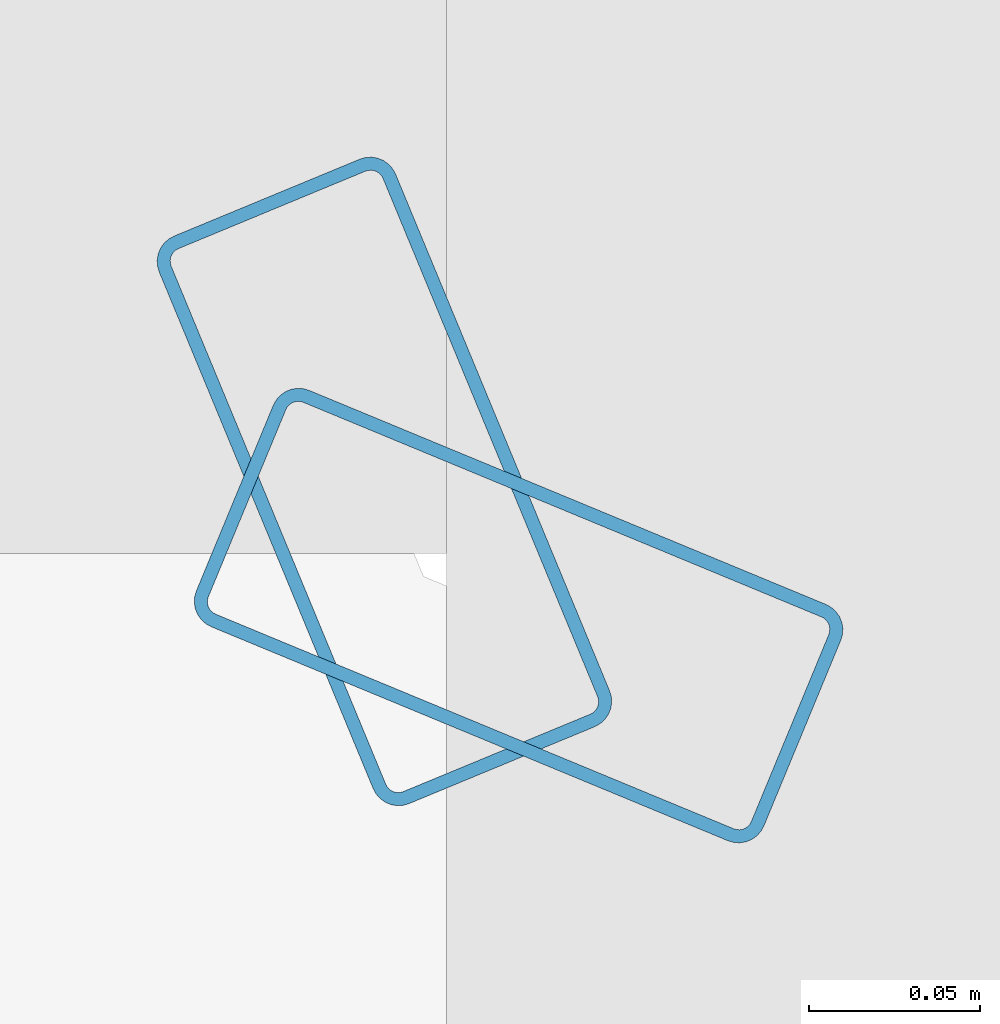
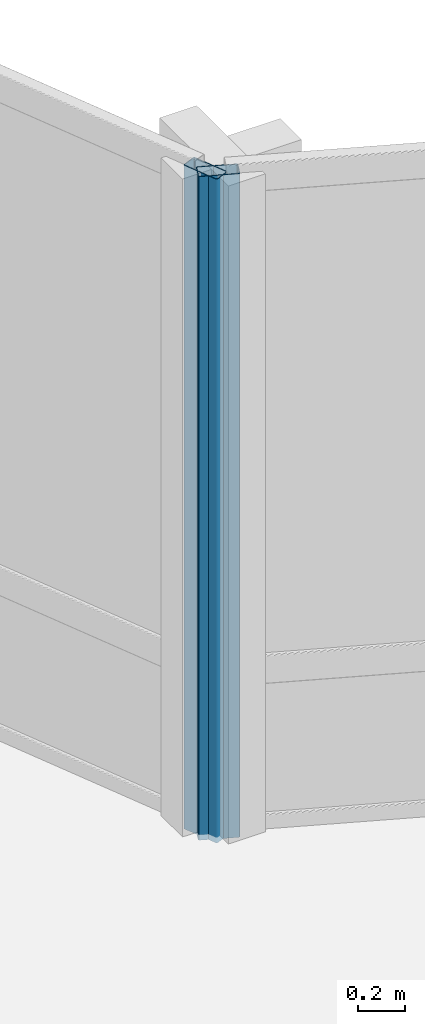
# One storey, part 8 of 28: 2 members, 2 elements without a shape of their own.
"""IFC4 building model written with IfcOpenShell, lengths in metres."""

from ifc_helpers import new_model, si_unit, direction, frame, origin, origin_2d, place, context, subcontext, project, spatial, hollow_rectangle, extrude, material, layer, layer_set, material_profile, profile_set, type_object, element, aggregate, save


model = new_model("IFC4")

# Units and contexts
model_context = context("Model", 3, precision=1e-05, world=origin(), true_north=direction((0.0, 1.0)))
body_context = subcontext(model_context, "Body", "Model", "MODEL_VIEW")
ifc_project = project(units=[si_unit("LENGTHUNIT", "METRE"), si_unit("AREAUNIT", "SQUARE_METRE"), si_unit("VOLUMEUNIT", "CUBIC_METRE"), si_unit("PLANEANGLEUNIT", "RADIAN"), si_unit("MASSUNIT", "GRAM", prefix="KILO")], contexts=[model_context])

# Site, building, storey
site_placement = place(None, origin())
site = spatial("IfcSite", under=ifc_project, at=site_placement, CompositionType="ELEMENT")
building_placement = place(site_placement, origin())
building = spatial("IfcBuilding", under=site, at=building_placement, Name="Solvaryn Broadcast Tower", CompositionType="ELEMENT")
storey_placement = place(building_placement, frame((0.0, 0.0, 213.60009765625)))
storey = spatial("IfcBuildingStorey", under=building, at=storey_placement, Name="L53", CompositionType="ELEMENT", Elevation=213.60009765625)

# Curtain wall, member
ifc_material_1 = material(Name="Aluminium and Terracotta Unitised Curtain Wall", Category="masonry")
ifc_layer = layer(ifc_material_1, 0.199951171875)
ifc_layer_set = layer_set([ifc_layer], Name="CW-SYS2-LOWMID")
curtain_wall_type = type_object("IfcCurtainWallType", Name="CW-SYS2-LOWMID", PredefinedType="NOTDEFINED", material=ifc_layer_set)
curtain_wall_1_placement = place(storey_placement, origin())
curtain_wall_1 = element("IfcCurtainWall", 1, at=curtain_wall_1_placement, inside=storey, type_object=curtain_wall_type, Name="L53 Curtain Wall CN1", PredefinedType="NOTDEFINED")
ifc_material_2 = material(Name="Anodised Aluminium 6063-T6", Category="aluminium")
ifc_material_profile = material_profile(ifc_material_2, hollow_rectangle(XDim=0.074951171875, YDim=0.179931640625, WallThickness=0.00390625, InnerFilletRadius=0.00390625, OuterFilletRadius=0.008056640625, at=origin_2d()))
ifc_profile_set = profile_set([ifc_material_profile], Name="Anodised Aluminium 6063-T6")
member_type = type_object("IfcMemberType", Name="CW-MUL-180", PredefinedType="MULLION", material=ifc_profile_set)
member_1_placement = place(storey_placement, frame((30.395751953125, 30.3564453125, 0.0), z_axis=(0.0, 0.0, 1.0), x_axis=(-0.382646127145, -0.923894983957, 0.0)))
member_1 = element("IfcMember", 2, at=member_1_placement, type_object=member_type, Name="CWS2 mullion 2", PredefinedType="MULLION", context=body_context, shape_type="SweptSolid", body=[
    extrude(hollow_rectangle(XDim=0.074951171875, YDim=0.179931640625, WallThickness=0.00390625, InnerFilletRadius=0.00390625, OuterFilletRadius=0.008056640625, at=origin_2d()), origin(), (0.0, 0.0, 1.0), 3.419921875),
])
aggregate(curtain_wall_1, [member_1])

curtain_wall_2_placement = place(storey_placement, origin())
curtain_wall_2 = element("IfcCurtainWall", 3, at=curtain_wall_2_placement, inside=storey, type_object=curtain_wall_type, Name="L53 Curtain Wall CN2", PredefinedType="NOTDEFINED")
member_2_placement = place(storey_placement, frame((30.3564453125, 30.395751953125, 0.0), z_axis=(0.0, 0.0, 1.0), x_axis=(-0.923894983957, -0.382646127145, 0.0)))
member_2 = element("IfcMember", 4, at=member_2_placement, type_object=member_type, Name="CWS2 mullion 1", PredefinedType="MULLION", context=body_context, shape_type="SweptSolid", body=[
    extrude(hollow_rectangle(XDim=0.074951171875, YDim=0.179931640625, WallThickness=0.00390625, InnerFilletRadius=0.00390625, OuterFilletRadius=0.008056640625, at=origin_2d()), origin(), (0.0, 0.0, 1.0), 3.419921875),
])
aggregate(curtain_wall_2, [member_2])

save(model, "model.ifc")
